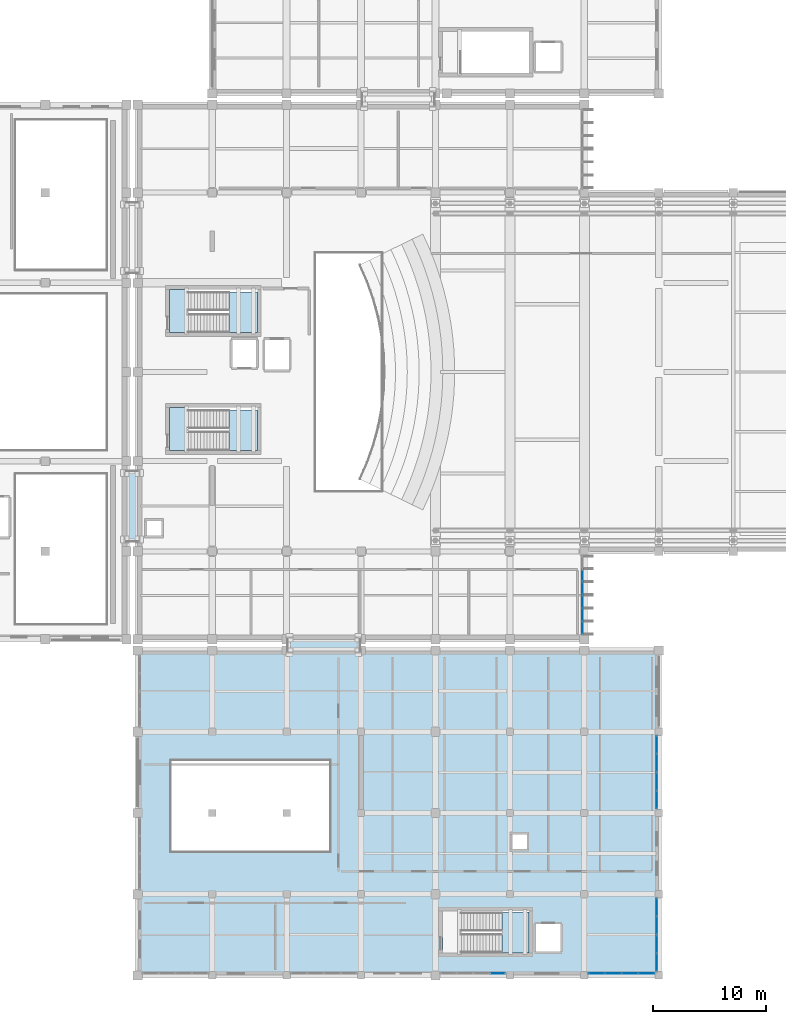
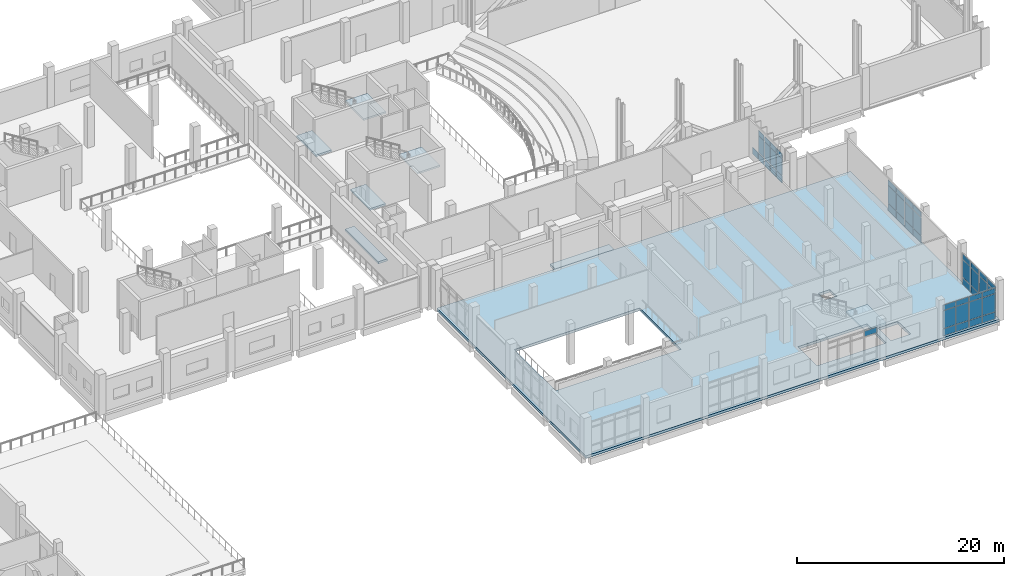
# One storey, part 39 of 73: 50 plates, 8 slabs, 11 elements without a shape of their own.
"""IFC4 building model written with IfcOpenShell, lengths in metres."""

from ifc_helpers import new_model, si_unit, direction, frame, origin, origin_2d, place, context, subcontext, project, spatial, polyline, rectangle, outline, extrude, material, layer, layer_set, type_object, element, aggregate, save


model = new_model("IFC4")

# Units and contexts
model_context = context("Model", 3, precision=1e-05, world=origin(), true_north=direction((0.0, 1.0)))
body_context = subcontext(model_context, "Body", "Model", "MODEL_VIEW")
ifc_project = project(units=[si_unit("LENGTHUNIT", "METRE"), si_unit("AREAUNIT", "SQUARE_METRE"), si_unit("VOLUMEUNIT", "CUBIC_METRE"), si_unit("PLANEANGLEUNIT", "RADIAN"), si_unit("MASSUNIT", "GRAM", prefix="KILO")], contexts=[model_context])

# Site, building, storey
site_placement = place(None, origin())
site = spatial("IfcSite", under=ifc_project, at=site_placement, CompositionType="ELEMENT")
building_placement = place(site_placement, origin())
building = spatial("IfcBuilding", under=site, at=building_placement, Name="Kelarvand Opera House", CompositionType="ELEMENT")
storey_placement = place(building_placement, frame((0.0, 0.0, 10.199951171875)))
storey = spatial("IfcBuildingStorey", under=building, at=storey_placement, Name="L02", CompositionType="ELEMENT", Elevation=10.199951171875)

# Curtain wall, plates
ifc_material_1 = material(Name="Thermally broken aluminium and low-E glazing", Category="aluminium")
ifc_layer_1 = layer(ifc_material_1, 0.219970703125, Name="Thermally broken aluminium and low-E glazing", Category="aluminium")
ifc_layer_set_1 = layer_set([ifc_layer_1], Name="Thermally broken aluminium and low-E glazing")
curtain_wall_type_1 = type_object("IfcCurtainWallType", Name="Unitised Low-E Curtain Wall 3493x3630 Mod 1150 CWF-05", PredefinedType="USERDEFINED", material=ifc_layer_set_1)
curtain_wall_1_placement = place(storey_placement, origin())
curtain_wall_1 = element("IfcCurtainWall", 1, at=curtain_wall_1_placement, inside=storey, type_object=curtain_wall_type_1, Name="V1 L02 Curtain Wall CWF-05 (19)", ObjectType="UNITISED CURTAIN WALL", PredefinedType="USERDEFINED")
ifc_material_2 = material(Name="Acoustic triple-laminated low-E glazing", Category="glass")
ifc_layer_2 = layer(ifc_material_2, 0.0400390625, Name="Acoustic triple-laminated low-E glazing", Category="glass")
ifc_layer_set_2 = layer_set([ifc_layer_2], Name="Acoustic triple-laminated low-E glazing")
plate_type_1 = type_object("IfcPlateType", Name="Acoustic Laminated Plaza Curtain Panel 40mm", PredefinedType="CURTAIN_PANEL", material=ifc_layer_set_2)
plate_1_placement = place(storey_placement, frame((128.419921875, 44.46826171875, 0.074951171875), z_axis=(0.0, 0.0, 1.0), x_axis=(0.0, -1.0, 0.0)))
plate_1 = element("IfcPlate", 2, at=plate_1_placement, type_object=plate_type_1, Name="CWF-05 panel 2.1", PredefinedType="CURTAIN_PANEL", context=body_context, shape_type="SweptSolid", body=[
    extrude(rectangle(XDim=1.089599609375, YDim=0.0400390625, at=origin_2d()), origin(), (0.0, 0.0, 1.0), 0.78759765625),
])
plate_2_placement = place(storey_placement, frame((128.419921875, 43.322509765625, 0.074951171875), z_axis=(0.0, 0.0, 1.0), x_axis=(0.0, -1.0, 0.0)))
plate_2 = element("IfcPlate", 3, at=plate_2_placement, type_object=plate_type_1, Name="CWF-05 panel 3.1", PredefinedType="CURTAIN_PANEL", context=body_context, shape_type="SweptSolid", body=[
    extrude(rectangle(XDim=1.052001953125, YDim=0.0400390625, at=origin_2d()), origin(), (0.0, 0.0, 1.0), 0.78759765625),
])
plate_3_placement = place(storey_placement, frame((128.419921875, 43.322509765625, 0.9375), z_axis=(0.0, 0.0, 1.0), x_axis=(0.0, -1.0, 0.0)))
plate_3 = element("IfcPlate", 4, at=plate_3_placement, type_object=plate_type_1, Name="CWF-05 panel 3.2", PredefinedType="CURTAIN_PANEL", context=body_context, shape_type="SweptSolid", body=[
    extrude(rectangle(XDim=1.052001953125, YDim=0.0400390625, at=origin_2d()), origin(), (0.0, 0.0, 1.0), 1.955078125),
])
plate_4_placement = place(storey_placement, frame((128.419921875, 43.322509765625, 2.967529296875), z_axis=(0.0, 0.0, 1.0), x_axis=(0.0, -1.0, 0.0)))
plate_4 = element("IfcPlate", 5, at=plate_4_placement, type_object=plate_type_1, Name="CWF-05 panel 3.3", PredefinedType="CURTAIN_PANEL", context=body_context, shape_type="SweptSolid", body=[
    extrude(rectangle(XDim=1.052001953125, YDim=0.0400390625, at=origin_2d()), origin(), (0.0, 0.0, 1.0), 0.58740234375),
])
aggregate(curtain_wall_1, [plate_1, plate_2, plate_3, plate_4])

curtain_wall_2_placement = place(storey_placement, origin())
curtain_wall_2 = element("IfcCurtainWall", 6, at=curtain_wall_2_placement, inside=storey, type_object=curtain_wall_type_1, Name="V1 L02 Curtain Wall CWF-05 (20)", ObjectType="UNITISED CURTAIN WALL", PredefinedType="USERDEFINED")
plate_5_placement = place(storey_placement, frame((128.419921875, 42.11572265625, 0.074951171875), z_axis=(0.0, 0.0, 1.0), x_axis=(0.0, -1.0, 0.0)))
plate_5 = element("IfcPlate", 7, at=plate_5_placement, type_object=plate_type_1, Name="CWF-05 panel 1.1", PredefinedType="CURTAIN_PANEL", context=body_context, shape_type="SweptSolid", body=[
    extrude(rectangle(XDim=1.05322265625, YDim=0.0400390625, at=origin_2d()), origin(), (0.0, 0.0, 1.0), 0.78759765625),
])
plate_6_placement = place(storey_placement, frame((128.419921875, 42.11572265625, 0.9375), z_axis=(0.0, 0.0, 1.0), x_axis=(0.0, -1.0, 0.0)))
plate_6 = element("IfcPlate", 8, at=plate_6_placement, type_object=plate_type_1, Name="CWF-05 panel 1.2", PredefinedType="CURTAIN_PANEL", context=body_context, shape_type="SweptSolid", body=[
    extrude(rectangle(XDim=1.05322265625, YDim=0.0400390625, at=origin_2d()), origin(), (0.0, 0.0, 1.0), 1.955078125),
])
plate_7_placement = place(storey_placement, frame((128.419921875, 42.11572265625, 2.967529296875), z_axis=(0.0, 0.0, 1.0), x_axis=(0.0, -1.0, 0.0)))
plate_7 = element("IfcPlate", 9, at=plate_7_placement, type_object=plate_type_1, Name="CWF-05 panel 1.3", PredefinedType="CURTAIN_PANEL", context=body_context, shape_type="SweptSolid", body=[
    extrude(rectangle(XDim=1.05322265625, YDim=0.0400390625, at=origin_2d()), origin(), (0.0, 0.0, 1.0), 0.58740234375),
])
plate_8_placement = place(storey_placement, frame((128.419921875, 40.96875, 0.074951171875), z_axis=(0.0, 0.0, 1.0), x_axis=(0.0, -1.0, 0.0)))
plate_8 = element("IfcPlate", 10, at=plate_8_placement, type_object=plate_type_1, Name="CWF-05 panel 2.1", PredefinedType="CURTAIN_PANEL", context=body_context, shape_type="SweptSolid", body=[
    extrude(rectangle(XDim=1.0908203125, YDim=0.0400390625, at=origin_2d()), origin(), (0.0, 0.0, 1.0), 0.78759765625),
])
plate_9_placement = place(storey_placement, frame((128.419921875, 40.96875, 0.9375), z_axis=(0.0, 0.0, 1.0), x_axis=(0.0, -1.0, 0.0)))
plate_9 = element("IfcPlate", 11, at=plate_9_placement, type_object=plate_type_1, Name="CWF-05 panel 2.2", PredefinedType="CURTAIN_PANEL", context=body_context, shape_type="SweptSolid", body=[
    extrude(rectangle(XDim=1.0908203125, YDim=0.0400390625, at=origin_2d()), origin(), (0.0, 0.0, 1.0), 1.955078125),
])
plate_10_placement = place(storey_placement, frame((128.419921875, 40.96875, 2.967529296875), z_axis=(0.0, 0.0, 1.0), x_axis=(0.0, -1.0, 0.0)))
plate_10 = element("IfcPlate", 12, at=plate_10_placement, type_object=plate_type_1, Name="CWF-05 panel 2.3", PredefinedType="CURTAIN_PANEL", context=body_context, shape_type="SweptSolid", body=[
    extrude(rectangle(XDim=1.0908203125, YDim=0.0400390625, at=origin_2d()), origin(), (0.0, 0.0, 1.0), 0.58740234375),
])
plate_11_placement = place(storey_placement, frame((128.419921875, 39.82177734375, 0.074951171875), z_axis=(0.0, 0.0, 1.0), x_axis=(0.0, -1.0, 0.0)))
plate_11 = element("IfcPlate", 13, at=plate_11_placement, type_object=plate_type_1, Name="CWF-05 panel 3.1", PredefinedType="CURTAIN_PANEL", context=body_context, shape_type="SweptSolid", body=[
    extrude(rectangle(XDim=1.05322265625, YDim=0.0400390625, at=origin_2d()), origin(), (0.0, 0.0, 1.0), 0.78759765625),
])
plate_12_placement = place(storey_placement, frame((128.419921875, 39.82177734375, 0.9375), z_axis=(0.0, 0.0, 1.0), x_axis=(0.0, -1.0, 0.0)))
plate_12 = element("IfcPlate", 14, at=plate_12_placement, type_object=plate_type_1, Name="CWF-05 panel 3.2", PredefinedType="CURTAIN_PANEL", context=body_context, shape_type="SweptSolid", body=[
    extrude(rectangle(XDim=1.05322265625, YDim=0.0400390625, at=origin_2d()), origin(), (0.0, 0.0, 1.0), 1.955078125),
])
plate_13_placement = place(storey_placement, frame((128.419921875, 39.82177734375, 2.967529296875), z_axis=(0.0, 0.0, 1.0), x_axis=(0.0, -1.0, 0.0)))
plate_13 = element("IfcPlate", 15, at=plate_13_placement, type_object=plate_type_1, Name="CWF-05 panel 3.3", PredefinedType="CURTAIN_PANEL", context=body_context, shape_type="SweptSolid", body=[
    extrude(rectangle(XDim=1.05322265625, YDim=0.0400390625, at=origin_2d()), origin(), (0.0, 0.0, 1.0), 0.58740234375),
])
aggregate(curtain_wall_2, [plate_5, plate_6, plate_7, plate_8, plate_9, plate_10, plate_11, plate_12, plate_13])

# Slabs
ifc_material_3 = material(Name="Concrete C35/45", Category="concrete")
ifc_layer_3 = layer(ifc_material_3, 0.219970703125, Name="Concrete C35/45", Category="concrete")
ifc_layer_set_3 = layer_set([ifc_layer_3], Name="Concrete C35/45")
slab_type_1 = type_object("IfcSlabType", Name="Core Stair Entry Landing Slab 220", PredefinedType="LANDING", material=ifc_layer_set_3)
slab_1_placement = place(storey_placement, frame((0.0, 0.0, -0.219970703125)))
element("IfcSlab", 16, at=slab_1_placement, inside=storey, type_object=slab_type_1, Name="C1 Stair Entry Landing L02", PredefinedType="LANDING", context=body_context, shape_type="SweptSolid", body=[
    extrude(outline(polyline([(91.800048828125, 66.0), (93.52001953125, 66.0), (93.52001953125, 69.800048828125), (91.800048828125, 69.800048828125), (91.800048828125, 66.0)])), origin(), (0.0, 0.0, 1.0), 0.219970703125),
])
slab_2_placement = place(storey_placement, frame((0.0, 0.0, -0.219970703125)))
element("IfcSlab", 17, at=slab_2_placement, inside=storey, type_object=slab_type_1, Name="C4 Stair Entry Landing L02", PredefinedType="LANDING", context=body_context, shape_type="SweptSolid", body=[
    extrude(outline(polyline([(91.800048828125, 55.550048828125), (93.52001953125, 55.550048828125), (93.52001953125, 59.35009765625), (91.800048828125, 59.35009765625), (91.800048828125, 55.550048828125)])), origin(), (0.0, 0.0, 1.0), 0.219970703125),
])

# Curtain wall, plates
ifc_layer_4 = layer(ifc_material_1, 0.179931640625, Name="Thermally broken aluminium and low-E glazing", Category="aluminium")
ifc_layer_set_4 = layer_set([ifc_layer_4], Name="Thermally broken aluminium and low-E glazing")
curtain_wall_type_2 = type_object("IfcCurtainWallType", Name="Unitised Low-E Curtain Wall 3261x3750 Mod 1350 CWF-26", PredefinedType="USERDEFINED", material=ifc_layer_set_4)
curtain_wall_3_placement = place(storey_placement, origin())
curtain_wall_3 = element("IfcCurtainWall", 18, at=curtain_wall_3_placement, inside=storey, type_object=curtain_wall_type_2, Name="V6 L02 Curtain Wall CWF-26 (217)", ObjectType="UNITISED CURTAIN WALL", PredefinedType="USERDEFINED")
ifc_material_4 = material(Name="Low-E laminated double glazing", Category="glass")
ifc_layer_5 = layer(ifc_material_4, 0.031982421875, Name="Low-E laminated double glazing", Category="glass")
ifc_layer_set_5 = layer_set([ifc_layer_5], Name="Low-E laminated double glazing")
plate_type_2 = type_object("IfcPlateType", Name="Low-E Argon Double Glazed Curtain Panel 32mm", PredefinedType="CURTAIN_PANEL", material=ifc_layer_set_5)
plate_14_placement = place(storey_placement, frame((135.02001953125, 29.43359375, 0.06494140625), z_axis=(0.0, 0.0, 1.0), x_axis=(0.0, -1.0, 0.0)))
plate_14 = element("IfcPlate", 19, at=plate_14_placement, type_object=plate_type_2, Name="CWF-26 panel 1.1", PredefinedType="CURTAIN_PANEL", context=body_context, shape_type="SweptSolid", body=[
    extrude(rectangle(XDim=1.532958984375, YDim=0.031982421875, at=origin_2d()), origin(), (0.0, 0.0, 1.0), 0.802490234375),
])
plate_15_placement = place(storey_placement, frame((135.02001953125, 29.43359375, 0.9326171875), z_axis=(0.0, 0.0, 1.0), x_axis=(0.0, -1.0, 0.0)))
plate_15 = element("IfcPlate", 20, at=plate_15_placement, type_object=plate_type_2, Name="CWF-26 panel 1.2", PredefinedType="CURTAIN_PANEL", context=body_context, shape_type="SweptSolid", body=[
    extrude(rectangle(XDim=1.532958984375, YDim=0.031982421875, at=origin_2d()), origin(), (0.0, 0.0, 1.0), 2.0849609375),
])
plate_16_placement = place(storey_placement, frame((135.02001953125, 29.43359375, 3.08251953125), z_axis=(0.0, 0.0, 1.0), x_axis=(0.0, -1.0, 0.0)))
plate_16 = element("IfcPlate", 21, at=plate_16_placement, type_object=plate_type_2, Name="CWF-26 panel 1.3", PredefinedType="CURTAIN_PANEL", context=body_context, shape_type="SweptSolid", body=[
    extrude(rectangle(XDim=1.532958984375, YDim=0.031982421875, at=origin_2d()), origin(), (0.0, 0.0, 1.0), 0.6025390625),
])
plate_17_placement = place(storey_placement, frame((135.02001953125, 27.83544921875, 0.06494140625), z_axis=(0.0, 0.0, 1.0), x_axis=(0.0, -1.0, 0.0)))
plate_17 = element("IfcPlate", 22, at=plate_17_placement, type_object=plate_type_2, Name="CWF-26 panel 2.1", PredefinedType="CURTAIN_PANEL", context=body_context, shape_type="SweptSolid", body=[
    extrude(rectangle(XDim=1.532958984375, YDim=0.031982421875, at=origin_2d()), origin(), (0.0, 0.0, 1.0), 0.802490234375),
])
plate_18_placement = place(storey_placement, frame((135.02001953125, 27.83544921875, 0.9326171875), z_axis=(0.0, 0.0, 1.0), x_axis=(0.0, -1.0, 0.0)))
plate_18 = element("IfcPlate", 23, at=plate_18_placement, type_object=plate_type_2, Name="CWF-26 panel 2.2", PredefinedType="CURTAIN_PANEL", context=body_context, shape_type="SweptSolid", body=[
    extrude(rectangle(XDim=1.532958984375, YDim=0.031982421875, at=origin_2d()), origin(), (0.0, 0.0, 1.0), 2.0849609375),
])
plate_19_placement = place(storey_placement, frame((135.02001953125, 27.83544921875, 3.08251953125), z_axis=(0.0, 0.0, 1.0), x_axis=(0.0, -1.0, 0.0)))
plate_19 = element("IfcPlate", 24, at=plate_19_placement, type_object=plate_type_2, Name="CWF-26 panel 2.3", PredefinedType="CURTAIN_PANEL", context=body_context, shape_type="SweptSolid", body=[
    extrude(rectangle(XDim=1.532958984375, YDim=0.031982421875, at=origin_2d()), origin(), (0.0, 0.0, 1.0), 0.6025390625),
])
aggregate(curtain_wall_3, [plate_14, plate_15, plate_16, plate_17, plate_18, plate_19])

curtain_wall_4_placement = place(storey_placement, origin())
curtain_wall_4 = element("IfcCurtainWall", 25, at=curtain_wall_4_placement, inside=storey, type_object=curtain_wall_type_2, Name="V6 L02 Curtain Wall CWF-26 (218)", ObjectType="UNITISED CURTAIN WALL", PredefinedType="USERDEFINED")
plate_20_placement = place(storey_placement, frame((135.02001953125, 26.16748046875, 0.06494140625), z_axis=(0.0, 0.0, 1.0), x_axis=(0.0, -1.0, 0.0)))
plate_20 = element("IfcPlate", 26, at=plate_20_placement, type_object=plate_type_2, Name="CWF-26 panel 1.1", PredefinedType="CURTAIN_PANEL", context=body_context, shape_type="SweptSolid", body=[
    extrude(rectangle(XDim=1.534912109375, YDim=0.031982421875, at=origin_2d()), origin(), (0.0, 0.0, 1.0), 0.802490234375),
])
plate_21_placement = place(storey_placement, frame((135.02001953125, 26.16748046875, 0.9326171875), z_axis=(0.0, 0.0, 1.0), x_axis=(0.0, -1.0, 0.0)))
plate_21 = element("IfcPlate", 27, at=plate_21_placement, type_object=plate_type_2, Name="CWF-26 panel 1.2", PredefinedType="CURTAIN_PANEL", context=body_context, shape_type="SweptSolid", body=[
    extrude(rectangle(XDim=1.534912109375, YDim=0.031982421875, at=origin_2d()), origin(), (0.0, 0.0, 1.0), 2.0849609375),
])
plate_22_placement = place(storey_placement, frame((135.02001953125, 26.16748046875, 3.08251953125), z_axis=(0.0, 0.0, 1.0), x_axis=(0.0, -1.0, 0.0)))
plate_22 = element("IfcPlate", 28, at=plate_22_placement, type_object=plate_type_2, Name="CWF-26 panel 1.3", PredefinedType="CURTAIN_PANEL", context=body_context, shape_type="SweptSolid", body=[
    extrude(rectangle(XDim=1.534912109375, YDim=0.031982421875, at=origin_2d()), origin(), (0.0, 0.0, 1.0), 0.6025390625),
])
plate_23_placement = place(storey_placement, frame((135.02001953125, 24.5673828125, 0.06494140625), z_axis=(0.0, 0.0, 1.0), x_axis=(0.0, -1.0, 0.0)))
plate_23 = element("IfcPlate", 29, at=plate_23_placement, type_object=plate_type_2, Name="CWF-26 panel 2.1", PredefinedType="CURTAIN_PANEL", context=body_context, shape_type="SweptSolid", body=[
    extrude(rectangle(XDim=1.534912109375, YDim=0.031982421875, at=origin_2d()), origin(), (0.0, 0.0, 1.0), 0.802490234375),
])
plate_24_placement = place(storey_placement, frame((135.02001953125, 24.5673828125, 0.9326171875), z_axis=(0.0, 0.0, 1.0), x_axis=(0.0, -1.0, 0.0)))
plate_24 = element("IfcPlate", 30, at=plate_24_placement, type_object=plate_type_2, Name="CWF-26 panel 2.2", PredefinedType="CURTAIN_PANEL", context=body_context, shape_type="SweptSolid", body=[
    extrude(rectangle(XDim=1.534912109375, YDim=0.031982421875, at=origin_2d()), origin(), (0.0, 0.0, 1.0), 2.0849609375),
])
plate_25_placement = place(storey_placement, frame((135.02001953125, 24.5673828125, 3.08251953125), z_axis=(0.0, 0.0, 1.0), x_axis=(0.0, -1.0, 0.0)))
plate_25 = element("IfcPlate", 31, at=plate_25_placement, type_object=plate_type_2, Name="CWF-26 panel 2.3", PredefinedType="CURTAIN_PANEL", context=body_context, shape_type="SweptSolid", body=[
    extrude(rectangle(XDim=1.534912109375, YDim=0.031982421875, at=origin_2d()), origin(), (0.0, 0.0, 1.0), 0.6025390625),
])
aggregate(curtain_wall_4, [plate_20, plate_21, plate_22, plate_23, plate_24, plate_25])

curtain_wall_5_placement = place(storey_placement, origin())
curtain_wall_5 = element("IfcCurtainWall", 32, at=curtain_wall_5_placement, inside=storey, type_object=curtain_wall_type_2, Name="V6 L02 Curtain Wall CWF-26 (219)", ObjectType="UNITISED CURTAIN WALL", PredefinedType="USERDEFINED")
plate_26_placement = place(storey_placement, frame((135.02001953125, 15.033447265625, 0.06494140625), z_axis=(0.0, 0.0, 1.0), x_axis=(0.0, -1.0, 0.0)))
plate_26 = element("IfcPlate", 33, at=plate_26_placement, type_object=plate_type_2, Name="CWF-26 panel 1.1", PredefinedType="CURTAIN_PANEL", context=body_context, shape_type="SweptSolid", body=[
    extrude(rectangle(XDim=1.532958984375, YDim=0.031982421875, at=origin_2d()), origin(), (0.0, 0.0, 1.0), 0.802490234375),
])
plate_27_placement = place(storey_placement, frame((135.02001953125, 15.033447265625, 0.9326171875), z_axis=(0.0, 0.0, 1.0), x_axis=(0.0, -1.0, 0.0)))
plate_27 = element("IfcPlate", 34, at=plate_27_placement, type_object=plate_type_2, Name="CWF-26 panel 1.2", PredefinedType="CURTAIN_PANEL", context=body_context, shape_type="SweptSolid", body=[
    extrude(rectangle(XDim=1.532958984375, YDim=0.031982421875, at=origin_2d()), origin(), (0.0, 0.0, 1.0), 2.0849609375),
])
plate_28_placement = place(storey_placement, frame((135.02001953125, 15.033447265625, 3.08251953125), z_axis=(0.0, 0.0, 1.0), x_axis=(0.0, -1.0, 0.0)))
plate_28 = element("IfcPlate", 35, at=plate_28_placement, type_object=plate_type_2, Name="CWF-26 panel 1.3", PredefinedType="CURTAIN_PANEL", context=body_context, shape_type="SweptSolid", body=[
    extrude(rectangle(XDim=1.532958984375, YDim=0.031982421875, at=origin_2d()), origin(), (0.0, 0.0, 1.0), 0.6025390625),
])
plate_29_placement = place(storey_placement, frame((135.02001953125, 13.435546875, 0.06494140625), z_axis=(0.0, 0.0, 1.0), x_axis=(0.0, -1.0, 0.0)))
plate_29 = element("IfcPlate", 36, at=plate_29_placement, type_object=plate_type_2, Name="CWF-26 panel 2.1", PredefinedType="CURTAIN_PANEL", context=body_context, shape_type="SweptSolid", body=[
    extrude(rectangle(XDim=1.532958984375, YDim=0.031982421875, at=origin_2d()), origin(), (0.0, 0.0, 1.0), 0.802490234375),
])
plate_30_placement = place(storey_placement, frame((135.02001953125, 13.435546875, 0.9326171875), z_axis=(0.0, 0.0, 1.0), x_axis=(0.0, -1.0, 0.0)))
plate_30 = element("IfcPlate", 37, at=plate_30_placement, type_object=plate_type_2, Name="CWF-26 panel 2.2", PredefinedType="CURTAIN_PANEL", context=body_context, shape_type="SweptSolid", body=[
    extrude(rectangle(XDim=1.532958984375, YDim=0.031982421875, at=origin_2d()), origin(), (0.0, 0.0, 1.0), 2.0849609375),
])
plate_31_placement = place(storey_placement, frame((135.02001953125, 13.435546875, 3.08251953125), z_axis=(0.0, 0.0, 1.0), x_axis=(0.0, -1.0, 0.0)))
plate_31 = element("IfcPlate", 38, at=plate_31_placement, type_object=plate_type_2, Name="CWF-26 panel 2.3", PredefinedType="CURTAIN_PANEL", context=body_context, shape_type="SweptSolid", body=[
    extrude(rectangle(XDim=1.532958984375, YDim=0.031982421875, at=origin_2d()), origin(), (0.0, 0.0, 1.0), 0.6025390625),
])
aggregate(curtain_wall_5, [plate_26, plate_27, plate_28, plate_29, plate_30, plate_31])

curtain_wall_6_placement = place(storey_placement, origin())
curtain_wall_6 = element("IfcCurtainWall", 39, at=curtain_wall_6_placement, inside=storey, type_object=curtain_wall_type_2, Name="V6 L02 Curtain Wall CWF-26 (220)", ObjectType="UNITISED CURTAIN WALL", PredefinedType="USERDEFINED")
plate_32_placement = place(storey_placement, frame((135.02001953125, 11.767578125, 0.06494140625), z_axis=(0.0, 0.0, 1.0), x_axis=(0.0, -1.0, 0.0)))
plate_32 = element("IfcPlate", 40, at=plate_32_placement, type_object=plate_type_2, Name="CWF-26 panel 1.1", PredefinedType="CURTAIN_PANEL", context=body_context, shape_type="SweptSolid", body=[
    extrude(rectangle(XDim=1.534912109375, YDim=0.031982421875, at=origin_2d()), origin(), (0.0, 0.0, 1.0), 0.802490234375),
])
plate_33_placement = place(storey_placement, frame((135.02001953125, 11.767578125, 0.9326171875), z_axis=(0.0, 0.0, 1.0), x_axis=(0.0, -1.0, 0.0)))
plate_33 = element("IfcPlate", 41, at=plate_33_placement, type_object=plate_type_2, Name="CWF-26 panel 1.2", PredefinedType="CURTAIN_PANEL", context=body_context, shape_type="SweptSolid", body=[
    extrude(rectangle(XDim=1.534912109375, YDim=0.031982421875, at=origin_2d()), origin(), (0.0, 0.0, 1.0), 2.0849609375),
])
plate_34_placement = place(storey_placement, frame((135.02001953125, 11.767578125, 3.08251953125), z_axis=(0.0, 0.0, 1.0), x_axis=(0.0, -1.0, 0.0)))
plate_34 = element("IfcPlate", 42, at=plate_34_placement, type_object=plate_type_2, Name="CWF-26 panel 1.3", PredefinedType="CURTAIN_PANEL", context=body_context, shape_type="SweptSolid", body=[
    extrude(rectangle(XDim=1.534912109375, YDim=0.031982421875, at=origin_2d()), origin(), (0.0, 0.0, 1.0), 0.6025390625),
])
plate_35_placement = place(storey_placement, frame((135.02001953125, 10.16748046875, 0.06494140625), z_axis=(0.0, 0.0, 1.0), x_axis=(0.0, -1.0, 0.0)))
plate_35 = element("IfcPlate", 43, at=plate_35_placement, type_object=plate_type_2, Name="CWF-26 panel 2.1", PredefinedType="CURTAIN_PANEL", context=body_context, shape_type="SweptSolid", body=[
    extrude(rectangle(XDim=1.534912109375, YDim=0.031982421875, at=origin_2d()), origin(), (0.0, 0.0, 1.0), 0.802490234375),
])
plate_36_placement = place(storey_placement, frame((135.02001953125, 10.16748046875, 0.9326171875), z_axis=(0.0, 0.0, 1.0), x_axis=(0.0, -1.0, 0.0)))
plate_36 = element("IfcPlate", 44, at=plate_36_placement, type_object=plate_type_2, Name="CWF-26 panel 2.2", PredefinedType="CURTAIN_PANEL", context=body_context, shape_type="SweptSolid", body=[
    extrude(rectangle(XDim=1.534912109375, YDim=0.031982421875, at=origin_2d()), origin(), (0.0, 0.0, 1.0), 2.0849609375),
])
plate_37_placement = place(storey_placement, frame((135.02001953125, 10.16748046875, 3.08251953125), z_axis=(0.0, 0.0, 1.0), x_axis=(0.0, -1.0, 0.0)))
plate_37 = element("IfcPlate", 45, at=plate_37_placement, type_object=plate_type_2, Name="CWF-26 panel 2.3", PredefinedType="CURTAIN_PANEL", context=body_context, shape_type="SweptSolid", body=[
    extrude(rectangle(XDim=1.534912109375, YDim=0.031982421875, at=origin_2d()), origin(), (0.0, 0.0, 1.0), 0.6025390625),
])
aggregate(curtain_wall_6, [plate_32, plate_33, plate_34, plate_35, plate_36, plate_37])

ifc_layer_6 = layer(ifc_material_1, 0.179931640625, Name="Thermally broken aluminium and low-E glazing", Category="aluminium")
ifc_layer_set_6 = layer_set([ifc_layer_6], Name="Thermally broken aluminium and low-E glazing")
curtain_wall_type_3 = type_object("IfcCurtainWallType", Name="Unitised Low-E Curtain Wall 5930x3750 Mod 1350 CWF-55", PredefinedType="USERDEFINED", material=ifc_layer_set_6)
curtain_wall_7_placement = place(storey_placement, origin())
curtain_wall_7 = element("IfcCurtainWall", 46, at=curtain_wall_7_placement, inside=storey, type_object=curtain_wall_type_3, Name="V6 L02 Curtain Wall CWF-55 (225)", ObjectType="UNITISED CURTAIN WALL", PredefinedType="USERDEFINED")
plate_38_placement = place(storey_placement, frame((134.107421875, 9.179931640625, 0.06494140625), z_axis=(0.0, 0.0, 1.0), x_axis=(-1.0, 0.0, 0.0)))
plate_38 = element("IfcPlate", 47, at=plate_38_placement, type_object=plate_type_2, Name="CWF-55 panel 1.1", PredefinedType="CURTAIN_PANEL", context=body_context, shape_type="SweptSolid", body=[
    extrude(rectangle(XDim=1.385009765625, YDim=0.031982421875, at=origin_2d()), origin(), (0.0, 0.0, 1.0), 0.802490234375),
])
plate_39_placement = place(storey_placement, frame((134.107421875, 9.179931640625, 0.9326171875), z_axis=(0.0, 0.0, 1.0), x_axis=(-1.0, 0.0, 0.0)))
plate_39 = element("IfcPlate", 48, at=plate_39_placement, type_object=plate_type_2, Name="CWF-55 panel 1.2", PredefinedType="CURTAIN_PANEL", context=body_context, shape_type="SweptSolid", body=[
    extrude(rectangle(XDim=1.385009765625, YDim=0.031982421875, at=origin_2d()), origin(), (0.0, 0.0, 1.0), 2.0849609375),
])
plate_40_placement = place(storey_placement, frame((134.107421875, 9.179931640625, 3.08251953125), z_axis=(0.0, 0.0, 1.0), x_axis=(-1.0, 0.0, 0.0)))
plate_40 = element("IfcPlate", 49, at=plate_40_placement, type_object=plate_type_2, Name="CWF-55 panel 1.3", PredefinedType="CURTAIN_PANEL", context=body_context, shape_type="SweptSolid", body=[
    extrude(rectangle(XDim=1.385009765625, YDim=0.031982421875, at=origin_2d()), origin(), (0.0, 0.0, 1.0), 0.6025390625),
])
plate_41_placement = place(storey_placement, frame((132.641357421875, 9.179931640625, 0.06494140625), z_axis=(0.0, 0.0, 1.0), x_axis=(-1.0, 0.0, 0.0)))
plate_41 = element("IfcPlate", 50, at=plate_41_placement, type_object=plate_type_2, Name="CWF-55 panel 2.1", PredefinedType="CURTAIN_PANEL", context=body_context, shape_type="SweptSolid", body=[
    extrude(rectangle(XDim=1.41748046875, YDim=0.031982421875, at=origin_2d()), origin(), (0.0, 0.0, 1.0), 0.802490234375),
])
plate_42_placement = place(storey_placement, frame((132.641357421875, 9.179931640625, 0.9326171875), z_axis=(0.0, 0.0, 1.0), x_axis=(-1.0, 0.0, 0.0)))
plate_42 = element("IfcPlate", 51, at=plate_42_placement, type_object=plate_type_2, Name="CWF-55 panel 2.2", PredefinedType="CURTAIN_PANEL", context=body_context, shape_type="SweptSolid", body=[
    extrude(rectangle(XDim=1.41748046875, YDim=0.031982421875, at=origin_2d()), origin(), (0.0, 0.0, 1.0), 2.0849609375),
])
plate_43_placement = place(storey_placement, frame((132.641357421875, 9.179931640625, 3.08251953125), z_axis=(0.0, 0.0, 1.0), x_axis=(-1.0, 0.0, 0.0)))
plate_43 = element("IfcPlate", 52, at=plate_43_placement, type_object=plate_type_2, Name="CWF-55 panel 2.3", PredefinedType="CURTAIN_PANEL", context=body_context, shape_type="SweptSolid", body=[
    extrude(rectangle(XDim=1.41748046875, YDim=0.031982421875, at=origin_2d()), origin(), (0.0, 0.0, 1.0), 0.6025390625),
])
plate_44_placement = place(storey_placement, frame((131.15869140625, 9.179931640625, 0.06494140625), z_axis=(0.0, 0.0, 1.0), x_axis=(-1.0, 0.0, 0.0)))
plate_44 = element("IfcPlate", 53, at=plate_44_placement, type_object=plate_type_2, Name="CWF-55 panel 3.1", PredefinedType="CURTAIN_PANEL", context=body_context, shape_type="SweptSolid", body=[
    extrude(rectangle(XDim=1.41748046875, YDim=0.031982421875, at=origin_2d()), origin(), (0.0, 0.0, 1.0), 0.802490234375),
])
plate_45_placement = place(storey_placement, frame((131.15869140625, 9.179931640625, 0.9326171875), z_axis=(0.0, 0.0, 1.0), x_axis=(-1.0, 0.0, 0.0)))
plate_45 = element("IfcPlate", 54, at=plate_45_placement, type_object=plate_type_2, Name="CWF-55 panel 3.2", PredefinedType="CURTAIN_PANEL", context=body_context, shape_type="SweptSolid", body=[
    extrude(rectangle(XDim=1.41748046875, YDim=0.031982421875, at=origin_2d()), origin(), (0.0, 0.0, 1.0), 2.0849609375),
])
plate_46_placement = place(storey_placement, frame((131.15869140625, 9.179931640625, 3.08251953125), z_axis=(0.0, 0.0, 1.0), x_axis=(-1.0, 0.0, 0.0)))
plate_46 = element("IfcPlate", 55, at=plate_46_placement, type_object=plate_type_2, Name="CWF-55 panel 3.3", PredefinedType="CURTAIN_PANEL", context=body_context, shape_type="SweptSolid", body=[
    extrude(rectangle(XDim=1.41748046875, YDim=0.031982421875, at=origin_2d()), origin(), (0.0, 0.0, 1.0), 0.6025390625),
])
plate_47_placement = place(storey_placement, frame((129.6923828125, 9.179931640625, 0.06494140625), z_axis=(0.0, 0.0, 1.0), x_axis=(-1.0, 0.0, 0.0)))
plate_47 = element("IfcPlate", 56, at=plate_47_placement, type_object=plate_type_2, Name="CWF-55 panel 4.1", PredefinedType="CURTAIN_PANEL", context=body_context, shape_type="SweptSolid", body=[
    extrude(rectangle(XDim=1.385009765625, YDim=0.031982421875, at=origin_2d()), origin(), (0.0, 0.0, 1.0), 0.802490234375),
])
plate_48_placement = place(storey_placement, frame((129.6923828125, 9.179931640625, 0.9326171875), z_axis=(0.0, 0.0, 1.0), x_axis=(-1.0, 0.0, 0.0)))
plate_48 = element("IfcPlate", 57, at=plate_48_placement, type_object=plate_type_2, Name="CWF-55 panel 4.2", PredefinedType="CURTAIN_PANEL", context=body_context, shape_type="SweptSolid", body=[
    extrude(rectangle(XDim=1.385009765625, YDim=0.031982421875, at=origin_2d()), origin(), (0.0, 0.0, 1.0), 2.0849609375),
])
plate_49_placement = place(storey_placement, frame((129.6923828125, 9.179931640625, 3.08251953125), z_axis=(0.0, 0.0, 1.0), x_axis=(-1.0, 0.0, 0.0)))
plate_49 = element("IfcPlate", 58, at=plate_49_placement, type_object=plate_type_2, Name="CWF-55 panel 4.3", PredefinedType="CURTAIN_PANEL", context=body_context, shape_type="SweptSolid", body=[
    extrude(rectangle(XDim=1.385009765625, YDim=0.031982421875, at=origin_2d()), origin(), (0.0, 0.0, 1.0), 0.6025390625),
])
aggregate(curtain_wall_7, [plate_38, plate_39, plate_40, plate_41, plate_42, plate_43, plate_44, plate_45, plate_46, plate_47, plate_48, plate_49])

# Curtain wall, plate
ifc_layer_7 = layer(ifc_material_1, 0.179931640625, Name="Thermally broken aluminium and low-E glazing", Category="aluminium")
ifc_layer_set_7 = layer_set([ifc_layer_7], Name="Thermally broken aluminium and low-E glazing")
curtain_wall_type_4 = type_object("IfcCurtainWallType", Name="Unitised Low-E Curtain Wall 5845x3750 Mod 1350 CWF-56", PredefinedType="USERDEFINED", material=ifc_layer_set_7)
curtain_wall_8_placement = place(storey_placement, origin())
curtain_wall_8 = element("IfcCurtainWall", 59, at=curtain_wall_8_placement, inside=storey, type_object=curtain_wall_type_4, Name="V6 L02 Curtain Wall CWF-56 (226)", ObjectType="UNITISED CURTAIN WALL", PredefinedType="USERDEFINED")
plate_50_placement = place(storey_placement, frame((120.918212890625, 9.179931640625, 3.08251953125), z_axis=(0.0, 0.0, 1.0), x_axis=(-1.0, 0.0, 0.0)))
plate_50 = element("IfcPlate", 60, at=plate_50_placement, type_object=plate_type_2, Name="CWF-56 panel 1.3", PredefinedType="CURTAIN_PANEL", context=body_context, shape_type="SweptSolid", body=[
    extrude(rectangle(XDim=1.36376953125, YDim=0.031982421875, at=origin_2d()), origin(), (0.0, 0.0, 1.0), 0.6025390625),
])
aggregate(curtain_wall_8, [plate_50])

# Stair, slab
stair_type = type_object("IfcStairType", Name="Dogleg Concrete Exit Stair 1660mm 28R STA-01", PredefinedType="HALF_TURN_STAIR", material=ifc_material_3)
stair_1_placement = place(storey_placement, origin())
stair_1 = element("IfcStair", 61, at=stair_1_placement, inside=storey, type_object=stair_type, Name="L02 Auditorium North Firefighting and Public Core C1 Stair ST-01", PredefinedType="HALF_TURN_STAIR")
ifc_layer_8 = layer(ifc_material_3, 0.199951171875, Name="Concrete C35/45", Category="concrete")
ifc_layer_set_8 = layer_set([ifc_layer_8], Name="Concrete C35/45")
slab_type_2 = type_object("IfcSlabType", Name="Precast Stair Half-Landing Slab 200", PredefinedType="LANDING", material=ifc_layer_set_8)
slab_3_placement = place(storey_placement, frame((0.0, 0.0, 2.199951171875)))
slab_3 = element("IfcSlab", 62, at=slab_3_placement, type_object=slab_type_2, Name="ST-01 landing 1", PredefinedType="LANDING", context=body_context, shape_type="SweptSolid", body=[
    extrude(outline(polyline([(97.10009765625, 66.0), (99.60009765625, 66.0), (99.60009765625, 69.60009765625), (97.10009765625, 69.60009765625), (97.10009765625, 66.0)])), origin(), (0.0, 0.0, 1.0), 0.2001953125),
])
aggregate(stair_1, [slab_3])

stair_2_placement = place(storey_placement, origin())
stair_2 = element("IfcStair", 63, at=stair_2_placement, inside=storey, type_object=stair_type, Name="L02 Auditorium South Foyer Core C4 Stair ST-04", PredefinedType="HALF_TURN_STAIR")
slab_4_placement = place(storey_placement, frame((0.0, 0.0, 2.199951171875)))
slab_4 = element("IfcSlab", 64, at=slab_4_placement, type_object=slab_type_2, Name="ST-04 landing 1", PredefinedType="LANDING", context=body_context, shape_type="SweptSolid", body=[
    extrude(outline(polyline([(97.10009765625, 55.550048828125), (99.60009765625, 55.550048828125), (99.60009765625, 59.14990234375), (97.10009765625, 59.14990234375), (97.10009765625, 55.550048828125)])), origin(), (0.0, 0.0, 1.0), 0.2001953125),
])
aggregate(stair_2, [slab_4])

stair_3_placement = place(storey_placement, origin())
stair_3 = element("IfcStair", 65, at=stair_3_placement, inside=storey, type_object=stair_type, Name="L02 South Dressing and Production Core C8 Stair ST-08", PredefinedType="HALF_TURN_STAIR")
slab_5_placement = place(storey_placement, frame((0.0, 0.0, 2.199951171875)))
slab_5 = element("IfcSlab", 66, at=slab_5_placement, type_object=slab_type_2, Name="ST-08 landing 1", PredefinedType="LANDING", context=body_context, shape_type="SweptSolid", body=[
    extrude(outline(polyline([(121.300048828125, 11.0), (123.699951171875, 11.0), (123.699951171875, 14.60009765625), (121.300048828125, 14.60009765625), (121.300048828125, 11.0)])), origin(), (0.0, 0.0, 1.0), 0.2001953125),
])
aggregate(stair_3, [slab_5])

# Slabs
ifc_layer_9 = layer(ifc_material_3, 0.260009765625, Name="Concrete C35/45", Category="concrete")
ifc_layer_set_9 = layer_set([ifc_layer_9], Name="Concrete C35/45")
slab_type_3 = type_object("IfcSlabType", Name="Seismic Bridge Deck Slab 260", PredefinedType="FLOOR", material=ifc_layer_set_9)
slab_6_placement = place(storey_placement, frame((0.0, 0.0, -0.260009765625)))
element("IfcSlab", 67, at=slab_6_placement, inside=storey, type_object=slab_type_3, Name="Seismic Joint Sliding Bridge BR-JP-S L02", PredefinedType="FLOOR", context=body_context, shape_type="SweptSolid", body=[
    extrude(outline(polyline([(88.0, 47.39990234375), (89.0, 47.39990234375), (89.0, 53.800048828125), (88.0, 53.800048828125), (88.0, 47.39990234375)])), origin(), (0.0, 0.0, 1.0), 0.260009765625),
])
slab_7_placement = place(storey_placement, frame((0.0, 0.0, -0.260009765625)))
element("IfcSlab", 68, at=slab_7_placement, inside=storey, type_object=slab_type_3, Name="Seismic Joint Sliding Bridge BR-JS-E L02", PredefinedType="FLOOR", context=body_context, shape_type="SweptSolid", body=[
    extrude(outline(polyline([(102.199951171875, 37.800048828125), (108.800048828125, 37.800048828125), (108.800048828125, 38.800048828125), (102.199951171875, 38.800048828125), (102.199951171875, 37.800048828125)])), origin(), (0.0, 0.0, 1.0), 0.260009765625),
])
ifc_layer_10 = layer(ifc_material_3, 0.300048828125, Name="Concrete C35/45", Category="concrete")
ifc_layer_set_10 = layer_set([ifc_layer_10], Name="Concrete C35/45")
slab_type_4 = type_object("IfcSlabType", Name="Suspended Floor Slab 300", PredefinedType="FLOOR", material=ifc_layer_set_10)
slab_8_placement = place(storey_placement, frame((0.0, 0.0, -0.300048828125)))
element("IfcSlab", 69, at=slab_8_placement, inside=storey, type_object=slab_type_4, Name="V6 L02 Structural Slab 42", PredefinedType="FLOOR", context=body_context, shape_type="SweptSolid", body=[
    extrude(outline(polyline([(135.199951171875, 9.0), (135.199951171875, 37.800048828125), (89.0, 37.800048828125), (89.0, 9.0), (135.199951171875, 9.0)]), holes=[polyline([(124.300048828125, 13.550048828125), (126.5, 13.550048828125), (126.5, 11.10009765625), (124.300048828125, 11.10009765625), (124.300048828125, 13.550048828125)]), polyline([(116.0, 14.699951171875), (123.699951171875, 14.699951171875), (123.699951171875, 11.0), (116.0, 11.0), (116.0, 14.699951171875)]), polyline([(122.199951171875, 21.5), (123.5, 21.5), (123.5, 20.199951171875), (122.199951171875, 20.199951171875), (122.199951171875, 21.5)]), polyline([(92.0, 28.0), (106.0, 28.0), (106.0, 20.0), (92.0, 20.0), (92.0, 28.0)])]), origin(), (0.0, 0.0, 1.0), 0.300048828125),
])

save(model, "model.ifc")
